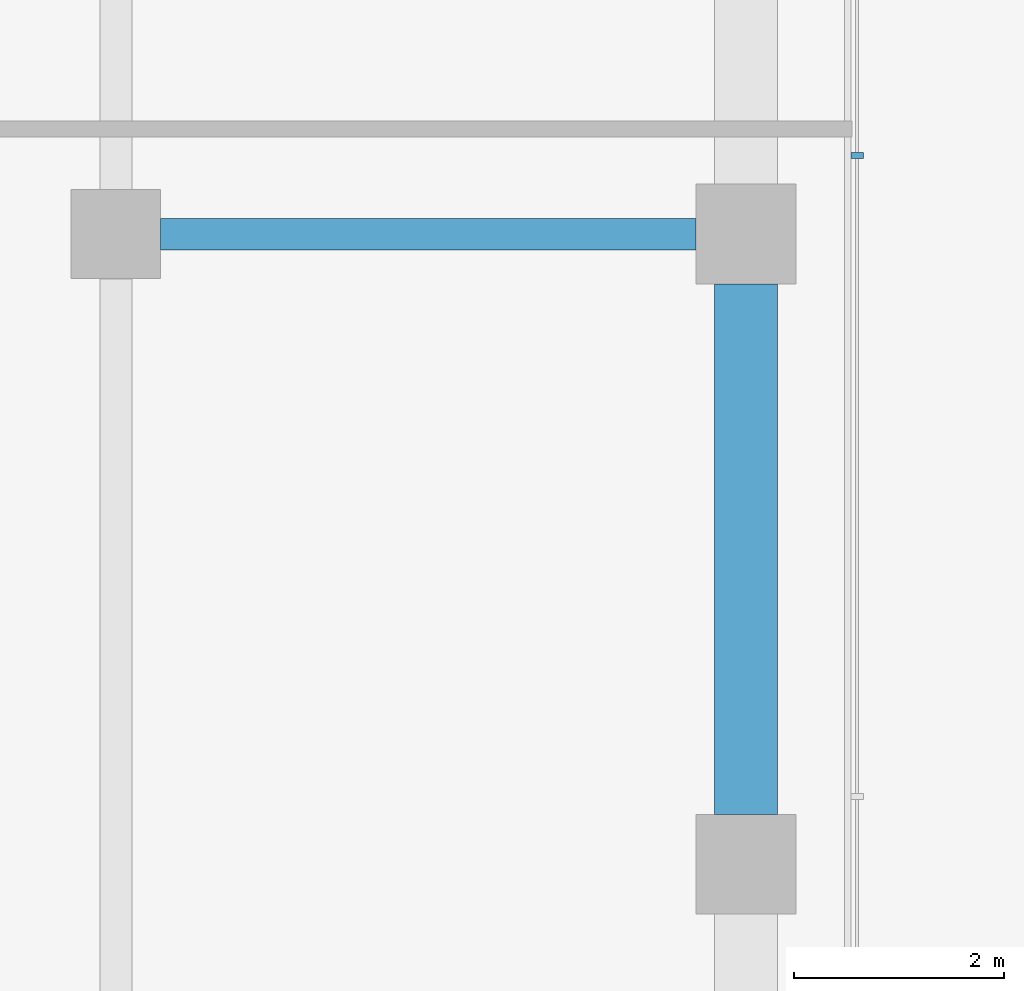
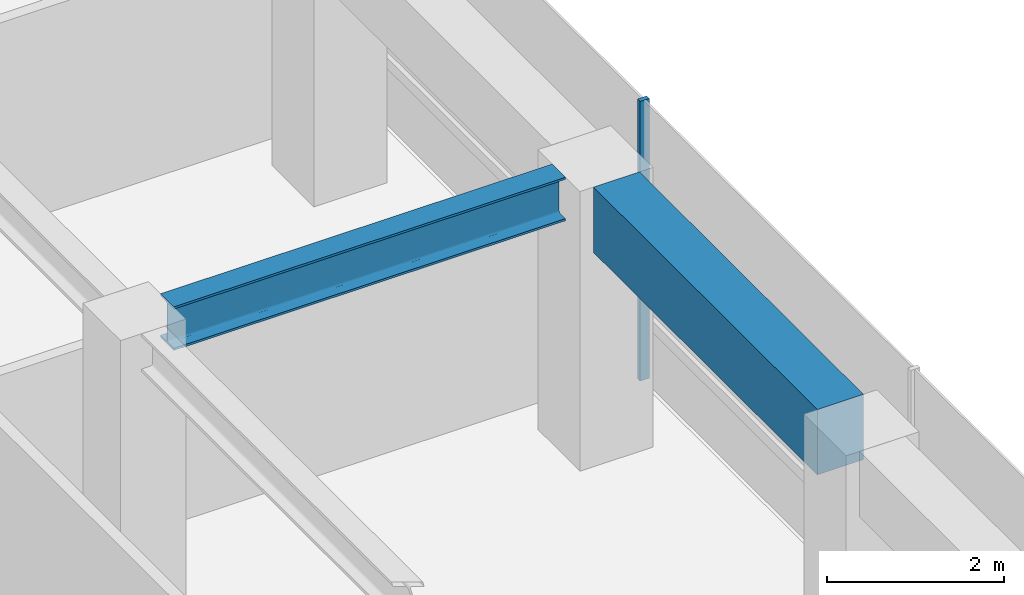
# One storey, part 17 of 29: 2 beams, 1 member, 1 element without a shape of its own.
"""IFC4 building model written with IfcOpenShell, lengths in metres."""

from ifc_helpers import new_model, si_unit, direction, frame, origin, origin_2d, place, context, subcontext, project, spatial, rectangle, i_section, extrude, material, layer, layer_set, material_profile, profile_set, type_object, element, aggregate, save


model = new_model("IFC4")

# Units and contexts
model_context = context("Model", 3, precision=1e-05, world=origin(), true_north=direction((0.0, 1.0)))
body_context = subcontext(model_context, "Body", "Model", "MODEL_VIEW")
ifc_project = project(units=[si_unit("LENGTHUNIT", "METRE"), si_unit("AREAUNIT", "SQUARE_METRE"), si_unit("VOLUMEUNIT", "CUBIC_METRE"), si_unit("PLANEANGLEUNIT", "RADIAN"), si_unit("MASSUNIT", "GRAM", prefix="KILO")], contexts=[model_context])

# Site, building, storey
site_placement = place(None, origin())
site = spatial("IfcSite", under=ifc_project, at=site_placement, CompositionType="ELEMENT")
building_placement = place(site_placement, origin())
building = spatial("IfcBuilding", under=site, at=building_placement, Name="Welwitschia Terrace Campus", CompositionType="ELEMENT")
storey_placement = place(building_placement, frame((0.0, 0.0, 66.800048828125)))
storey = spatial("IfcBuildingStorey", under=building, at=storey_placement, Name="L15", CompositionType="ELEMENT", Elevation=66.800048828125)

# Curtain wall, member
ifc_material_1 = material(Name="Bronze anodised aluminium", Category="aluminium")
ifc_layer = layer(ifc_material_1, 0.1201171875)
ifc_layer_set = layer_set([ifc_layer], Name="Bronze anodised aluminium")
curtain_wall_type = type_object("IfcCurtainWallType", Name="Curtain wall CW2 tower 6000", PredefinedType="NOTDEFINED", material=ifc_layer_set)
curtain_wall_placement = place(storey_placement, origin())
curtain_wall = element("IfcCurtainWall", 1, at=curtain_wall_placement, inside=storey, type_object=curtain_wall_type, Name="CW L15.10.0", PredefinedType="NOTDEFINED")
ifc_material_2 = material(Name="Bronze anodised aluminium", Category="aluminium")
ifc_material_profile_1 = material_profile(ifc_material_2, rectangle(XDim=0.1201171875, YDim=0.06005859375, at=origin_2d()))
ifc_profile_set_1 = profile_set([ifc_material_profile_1], Name="Bronze anodised aluminium")
member_type = type_object("IfcMemberType", Name="Mullion 60x120", PredefinedType="MULLION", material=ifc_profile_set_1)
member_placement = place(storey_placement, frame((25.05810546875, 44.748046875, 0.0), z_axis=(0.0, 0.0, 1.0), x_axis=(-1.0, 0.0, 0.0)))
member = element("IfcMember", 2, at=member_placement, type_object=member_type, Name="Mullion L15.10.0.3", PredefinedType="MULLION", context=body_context, shape_type="SweptSolid", body=[
    extrude(rectangle(XDim=0.1201171875, YDim=0.06005859375, at=origin_2d()), origin(), (0.0, 0.0, 1.0), 3.849853515625),
])
aggregate(curtain_wall, [member])

# Beams
ifc_material_3 = material(Name="Steel S355", Category="steel")
ifc_material_profile_2 = material_profile(ifc_material_3, i_section(OverallWidth=0.300048828125, OverallDepth=0.60009765625, WebThickness=0.015380859375, FlangeThickness=0.030029296875, FilletRadius=0.027099609375, at=origin_2d()))
ifc_profile_set_2 = profile_set([ifc_material_profile_2], Name="Steel S355")
beam_type_1 = type_object("IfcBeamType", Name="Primary beam HE 600 B", PredefinedType="BEAM", material=ifc_profile_set_2)
beam_1_placement = place(storey_placement, frame((23.5244140625, 44.0, 3.550048828125), z_axis=(-1.0, 0.0, 0.0), x_axis=(0.0, -1.0, 0.0)))
element("IfcBeam", 3, at=beam_1_placement, inside=storey, type_object=beam_type_1, Name="Primary beam PB2", PredefinedType="BEAM", context=body_context, shape_type="SweptSolid", body=[
    extrude(i_section(OverallWidth=0.300048828125, OverallDepth=0.60009765625, WebThickness=0.015380859375, FlangeThickness=0.030029296875, FilletRadius=0.027099609375, at=origin_2d()), origin(), (0.0, 0.0, 1.0), 5.098876953125),
])
ifc_material_4 = material(Name="Concrete C60/75", Category="concrete")
ifc_material_profile_3 = material_profile(ifc_material_4, rectangle(XDim=0.60009765625, YDim=0.89990234375, at=origin_2d()))
ifc_profile_set_3 = profile_set([ifc_material_profile_3], Name="Concrete C60/75")
beam_type_2 = type_object("IfcBeamType", Name="Ring spandrel 600x900", PredefinedType="SPANDREL", material=ifc_profile_set_3)
beam_2_placement = place(storey_placement, frame((24.0, 38.4755859375, 3.39990234375), z_axis=(0.0, 1.0, 0.0), x_axis=(-1.0, 0.0, 0.0)))
element("IfcBeam", 4, at=beam_2_placement, inside=storey, type_object=beam_type_2, Name="Spandrel SP2", PredefinedType="SPANDREL", context=body_context, shape_type="SweptSolid", body=[
    extrude(rectangle(XDim=0.60009765625, YDim=0.89990234375, at=origin_2d()), origin(), (0.0, 0.0, 1.0), 5.048828125),
])

save(model, "model.ifc")
